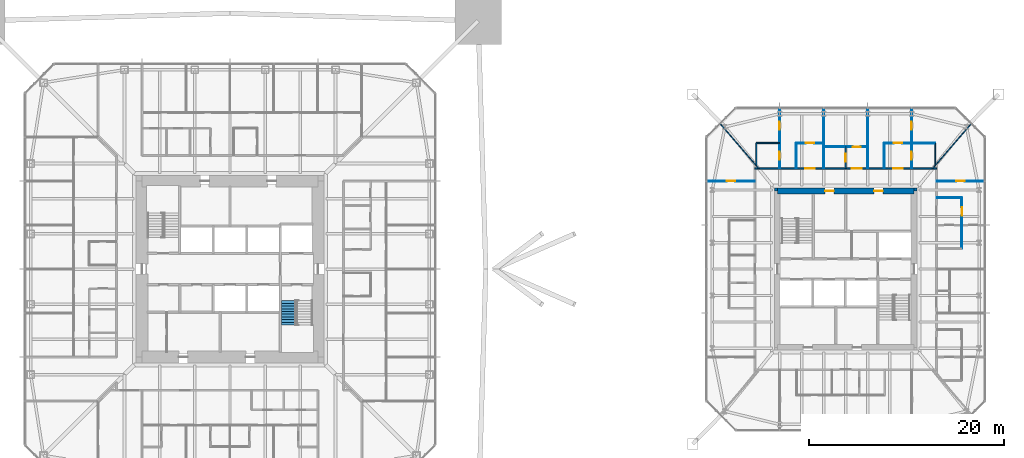
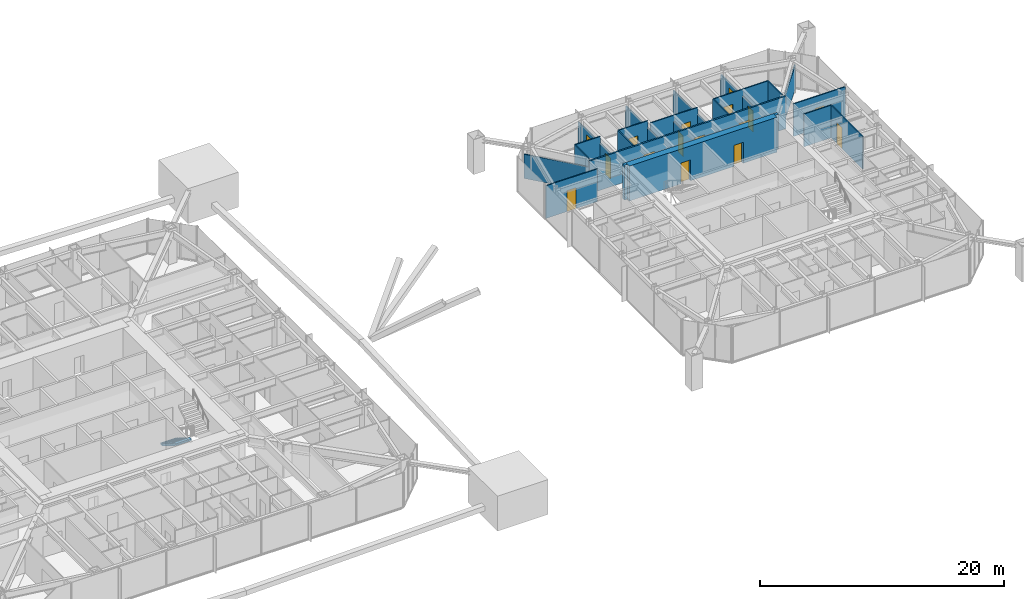
# One storey, part 21 of 27: 23 walls, 16 doors, 1 stair flight, 16 openings, 1 element without a shape of its own.
"""IFC4 building model written with IfcOpenShell, lengths in metres."""

from ifc_helpers import new_model, si_unit, direction, frame, frame_2d, origin, place, context, subcontext, project, spatial, polyline, rectangle, outline, extrude, material, layer, layer_set, constituent, constituent_set, type_object, element, fill, aggregate, save


model = new_model("IFC4")

# Units and contexts
model_context = context("Model", 3, precision=1e-05, world=origin(), true_north=direction((0.0, 1.0)))
body_context = subcontext(model_context, "Body", "Model", "MODEL_VIEW")
ifc_project = project(units=[si_unit("LENGTHUNIT", "METRE"), si_unit("AREAUNIT", "SQUARE_METRE"), si_unit("VOLUMEUNIT", "CUBIC_METRE"), si_unit("PLANEANGLEUNIT", "RADIAN"), si_unit("MASSUNIT", "GRAM", prefix="KILO")], contexts=[model_context])

# Site, building, storey
site_placement = place(None, origin())
site = spatial("IfcSite", under=ifc_project, at=site_placement, CompositionType="ELEMENT")
building_placement = place(site_placement, origin())
building = spatial("IfcBuilding", under=site, at=building_placement, Name="Iwan Alto Co-Living Towers", CompositionType="ELEMENT")
storey_placement = place(building_placement, frame((0.0, 0.0, 91.0)))
storey = spatial("IfcBuildingStorey", under=building, at=storey_placement, Name="L24", CompositionType="ELEMENT", Elevation=91.0)

# Wall, openings, doors
ifc_material_1 = material(Name="Gypsum board")
ifc_layer_1 = layer(ifc_material_1, 0.02490234375, Name="Board", Category="Finish")
ifc_material_2 = material(Name="Steel ASTM A1003 ST33H cold-formed studs", Category="steel")
ifc_layer_2 = layer(ifc_material_2, 0.10009765625, Name="Studs", Category="Framing")
ifc_layer_3 = layer(ifc_material_1, 0.02490234375, Name="Board", Category="Finish")
ifc_layer_set_1 = layer_set([ifc_layer_1, ifc_layer_2, ifc_layer_3], Name="CORRIDOR WALL 150")
wall_type_1 = type_object("IfcWallType", Name="CORRIDOR WALL 150", PredefinedType="PARTITIONING", material=ifc_layer_set_1)
wall_1_placement = place(storey_placement, frame((53.699951171875, 10.300048828125, 0.0), z_axis=(0.0, 0.0, 1.0), x_axis=(1.0, 0.0, 0.0)))
wall_1 = element("IfcWall", 1, at=wall_1_placement, inside=storey, type_object=wall_type_1, Name="Partition L24", PredefinedType="PARTITIONING", context=body_context, shape_type="SweptSolid", body=[
    extrude(rectangle(XDim=18.60009765625, YDim=0.14990234375, at=frame_2d((9.300048828125, 0.0))), origin(), (0.0, 0.0, 1.0), 3.27001953125),
])
opening_1_placement = place(wall_1_placement, frame((14.14990234375, 0.0, 0.0)))
opening_1 = element("IfcOpeningElement", 2, at=opening_1_placement, cuts=wall_1, Name="Opening D3", PredefinedType="OPENING", context=body_context, shape_type="SweptSolid", body=[
    extrude(rectangle(XDim=1.0, YDim=2.10009765625, at=frame_2d((0.5, 1.050048828125))), frame((0.0, 0.0849609375, 0.0), z_axis=(0.0, -1.0, 0.0), x_axis=(1.0, 0.0, 0.0)), (0.0, 0.0, 1.0), 0.169921875),
])
opening_2_placement = place(wall_1_placement, frame((9.925048828125, 0.0, 0.0)))
opening_2 = element("IfcOpeningElement", 3, at=opening_2_placement, cuts=wall_1, Name="Opening D3", PredefinedType="OPENING", context=body_context, shape_type="SweptSolid", body=[
    extrude(rectangle(XDim=1.0, YDim=2.10009765625, at=frame_2d((0.5, 1.050048828125))), frame((0.0, 0.0849609375, 0.0), z_axis=(0.0, -1.0, 0.0), x_axis=(1.0, 0.0, 0.0)), (0.0, 0.0, 1.0), 0.169921875),
])
opening_3_placement = place(wall_1_placement, frame((5.14990234375, 0.0, 0.0)))
opening_3 = element("IfcOpeningElement", 4, at=opening_3_placement, cuts=wall_1, Name="Opening D3", PredefinedType="OPENING", context=body_context, shape_type="SweptSolid", body=[
    extrude(rectangle(XDim=1.0, YDim=2.10009765625, at=frame_2d((0.5, 1.050048828125))), frame((0.0, 0.0849609375, 0.0), z_axis=(0.0, -1.0, 0.0), x_axis=(1.0, 0.0, 0.0)), (0.0, 0.0, 1.0), 0.169921875),
])
ifc_material_3 = material(Name="Steel frame with timber leaf", Category="steel")
door_type_1 = type_object("IfcDoorType", Name="FLAT ENTRANCE DOOR FD30S 1000X2100", OperationType="SINGLE_SWING_LEFT", PredefinedType="DOOR", material=ifc_material_3)
door_1_placement = place(opening_1_placement, origin())
door_1 = element("IfcDoor", 5, at=door_1_placement, inside=storey, type_object=door_type_1, Name="Apartment foyer door L24", OperationType="SINGLE_SWING_LEFT", OverallHeight=2.10009765625, OverallWidth=1.0, PredefinedType="DOOR", context=body_context, shape_type="SweptSolid", body=[
    extrude(rectangle(XDim=1.0, YDim=2.10009765625, at=frame_2d((0.5, 1.050048828125))), frame((0.0, 0.02490234375, 0.0), z_axis=(0.0, -1.0, 0.0), x_axis=(1.0, 0.0, 0.0)), (0.0, 0.0, 1.0), 0.050048828125),
])
fill(opening_1, door_1)
door_2_placement = place(opening_2_placement, origin())
door_2 = element("IfcDoor", 6, at=door_2_placement, inside=storey, type_object=door_type_1, Name="Studio foyer door L24", OperationType="SINGLE_SWING_LEFT", OverallHeight=2.10009765625, OverallWidth=1.0, PredefinedType="DOOR", context=body_context, shape_type="SweptSolid", body=[
    extrude(rectangle(XDim=1.0, YDim=2.10009765625, at=frame_2d((0.5, 1.050048828125))), frame((0.0, 0.02490234375, 0.0), z_axis=(0.0, -1.0, 0.0), x_axis=(1.0, 0.0, 0.0)), (0.0, 0.0, 1.0), 0.050048828125),
])
fill(opening_2, door_2)
door_3_placement = place(opening_3_placement, origin())
door_3 = element("IfcDoor", 7, at=door_3_placement, inside=storey, type_object=door_type_1, Name="Apartment foyer door L24", OperationType="SINGLE_SWING_LEFT", OverallHeight=2.10009765625, OverallWidth=1.0, PredefinedType="DOOR", context=body_context, shape_type="SweptSolid", body=[
    extrude(rectangle(XDim=1.0, YDim=2.10009765625, at=frame_2d((0.5, 1.050048828125))), frame((0.0, 0.02490234375, 0.0), z_axis=(0.0, -1.0, 0.0), x_axis=(1.0, 0.0, 0.0)), (0.0, 0.0, 1.0), 0.050048828125),
])
fill(opening_3, door_3)

# Wall
ifc_layer_4 = layer(ifc_material_1, 0.012451171875, Name="Board", Category="Finish")
ifc_layer_5 = layer(ifc_material_2, 0.074951171875, Name="Studs", Category="Framing")
ifc_layer_6 = layer(ifc_material_1, 0.012451171875, Name="Board", Category="Finish")
ifc_layer_set_2 = layer_set([ifc_layer_4, ifc_layer_5, ifc_layer_6], Name="PARTITION 100")
wall_type_2 = type_object("IfcWallType", Name="PARTITION 100", PredefinedType="PARTITIONING", material=ifc_layer_set_2)
wall_2_placement = place(storey_placement, frame((72.300048828125, 7.300048828125, 0.0), z_axis=(0.0, 0.0, 1.0), x_axis=(1.0, 0.0, 0.0)))
element("IfcWall", 8, at=wall_2_placement, inside=storey, type_object=wall_type_2, Name="Partition L24", PredefinedType="PARTITIONING", context=body_context, shape_type="SweptSolid", body=[
    extrude(rectangle(XDim=2.599853515625, YDim=0.10009765625, at=frame_2d((1.2998046875, 0.0))), origin(), (0.0, 0.0, 1.0), 3.27001953125),
])

# Wall, opening, door
wall_3_placement = place(storey_placement, frame((48.81005859375, 9.0, 0.0), z_axis=(0.0, 0.0, 1.0), x_axis=(1.0, 0.0, 0.0)))
wall_3 = element("IfcWall", 9, at=wall_3_placement, inside=storey, type_object=wall_type_2, Name="Partition L24", PredefinedType="PARTITIONING", context=body_context, shape_type="SweptSolid", body=[
    extrude(rectangle(XDim=4.889892578125, YDim=0.10009765625, at=frame_2d((2.44482421875, 0.0))), origin(), (0.0, 0.0, 1.0), 3.27001953125),
])
opening_4_placement = place(wall_3_placement, frame((2.02001953125, 0.0, 0.0)))
opening_4 = element("IfcOpeningElement", 10, at=opening_4_placement, cuts=wall_3, Name="Opening D2", PredefinedType="OPENING", context=body_context, shape_type="SweptSolid", body=[
    extrude(rectangle(XDim=0.85009765625, YDim=2.10009765625, at=frame_2d((0.425048828125, 1.050048828125))), frame((0.0, 0.06005859375, 0.0), z_axis=(0.0, -1.0, 0.0), x_axis=(1.0, 0.0, 0.0)), (0.0, 0.0, 1.0), 0.1201171875),
])
ifc_material_4 = material(Name="Timber leaf in steel frame", Category="steel")
door_type_2 = type_object("IfcDoorType", Name="ROOM DOOR 850X2100", OperationType="SINGLE_SWING_LEFT", PredefinedType="DOOR", material=ifc_material_4)
door_4_placement = place(opening_4_placement, frame((0.85009765625, 0.0, 0.0), z_axis=(0.0, 0.0, 1.0), x_axis=(-1.0, 0.0, 0.0)))
door_4 = element("IfcDoor", 11, at=door_4_placement, inside=storey, type_object=door_type_2, Name="Bedroom door L24", OperationType="SINGLE_SWING_LEFT", OverallHeight=2.10009765625, OverallWidth=0.85009765625, PredefinedType="DOOR", context=body_context, shape_type="SweptSolid", body=[
    extrude(rectangle(XDim=0.85009765625, YDim=2.10009765625, at=frame_2d((0.425048828125, 1.050048828125))), frame((0.0, 0.02490234375, 0.0), z_axis=(0.0, -1.0, 0.0), x_axis=(1.0, 0.0, 0.0)), (0.0, 0.0, 1.0), 0.050048828125),
])
fill(opening_4, door_4)

wall_4_placement = place(storey_placement, frame((72.300048828125, 9.0, 0.0), z_axis=(0.0, 0.0, 1.0), x_axis=(1.0, 0.0, 0.0)))
wall_4 = element("IfcWall", 12, at=wall_4_placement, inside=storey, type_object=wall_type_2, Name="Partition L24", PredefinedType="PARTITIONING", context=body_context, shape_type="SweptSolid", body=[
    extrude(rectangle(XDim=4.889892578125, YDim=0.10009765625, at=frame_2d((2.44482421875, 0.0))), origin(), (0.0, 0.0, 1.0), 3.27001953125),
])
opening_5_placement = place(wall_4_placement, frame((2.02001953125, 0.0, 0.0)))
opening_5 = element("IfcOpeningElement", 13, at=opening_5_placement, cuts=wall_4, Name="Opening D2", PredefinedType="OPENING", context=body_context, shape_type="SweptSolid", body=[
    extrude(rectangle(XDim=0.85009765625, YDim=2.10009765625, at=frame_2d((0.425048828125, 1.050048828125))), frame((0.0, 0.06005859375, 0.0), z_axis=(0.0, -1.0, 0.0), x_axis=(1.0, 0.0, 0.0)), (0.0, 0.0, 1.0), 0.1201171875),
])
door_5_placement = place(opening_5_placement, origin())
door_5 = element("IfcDoor", 14, at=door_5_placement, inside=storey, type_object=door_type_2, Name="Bedroom door L24", OperationType="SINGLE_SWING_LEFT", OverallHeight=2.10009765625, OverallWidth=0.85009765625, PredefinedType="DOOR", context=body_context, shape_type="SweptSolid", body=[
    extrude(rectangle(XDim=0.85009765625, YDim=2.10009765625, at=frame_2d((0.425048828125, 1.050048828125))), frame((0.0, 0.02490234375, 0.0), z_axis=(0.0, -1.0, 0.0), x_axis=(1.0, 0.0, 0.0)), (0.0, 0.0, 1.0), 0.050048828125),
])
fill(opening_5, door_5)

wall_5_placement = place(storey_placement, frame((60.75, 12.5, 0.0), z_axis=(0.0, 0.0, 1.0), x_axis=(1.0, 0.0, 0.0)))
wall_5 = element("IfcWall", 15, at=wall_5_placement, inside=storey, type_object=wall_type_2, Name="Partition L24", PredefinedType="PARTITIONING", context=body_context, shape_type="SweptSolid", body=[
    extrude(rectangle(XDim=4.5, YDim=0.10009765625, at=frame_2d((2.25, 0.0))), origin(), (0.0, 0.0, 1.0), 3.27001953125),
])
opening_6_placement = place(wall_5_placement, frame((2.949951171875, 0.0, 0.0)))
opening_6 = element("IfcOpeningElement", 16, at=opening_6_placement, cuts=wall_5, Name="Opening D2", PredefinedType="OPENING", context=body_context, shape_type="SweptSolid", body=[
    extrude(rectangle(XDim=0.85009765625, YDim=2.10009765625, at=frame_2d((0.425048828125, 1.050048828125))), frame((0.0, 0.06005859375, 0.0), z_axis=(0.0, -1.0, 0.0), x_axis=(1.0, 0.0, 0.0)), (0.0, 0.0, 1.0), 0.1201171875),
])
door_6_placement = place(opening_6_placement, origin())
door_6 = element("IfcDoor", 17, at=door_6_placement, inside=storey, type_object=door_type_2, Name="Studio and kitchenette door L24", OperationType="SINGLE_SWING_RIGHT", OverallHeight=2.10009765625, OverallWidth=0.85009765625, PredefinedType="DOOR", context=body_context, shape_type="SweptSolid", body=[
    extrude(rectangle(XDim=0.85009765625, YDim=2.10009765625, at=frame_2d((0.425048828125, 1.050048828125))), frame((0.0, 0.02490234375, 0.0), z_axis=(0.0, -1.0, 0.0), x_axis=(1.0, 0.0, 0.0)), (0.0, 0.0, 1.0), 0.050048828125),
])
fill(opening_6, door_6)

wall_6_placement = place(storey_placement, frame((57.949951171875, 12.89990234375, 0.0), z_axis=(0.0, 0.0, 1.0), x_axis=(1.0, 0.0, 0.0)))
wall_6 = element("IfcWall", 18, at=wall_6_placement, inside=storey, type_object=wall_type_2, Name="Partition L24", PredefinedType="PARTITIONING", context=body_context, shape_type="SweptSolid", body=[
    extrude(rectangle(XDim=2.800048828125, YDim=0.10009765625, at=frame_2d((1.39990234375, 0.0))), origin(), (0.0, 0.0, 1.0), 3.27001953125),
])
opening_7_placement = place(wall_6_placement, frame((0.97509765625, 0.0, 0.0)))
opening_7 = element("IfcOpeningElement", 19, at=opening_7_placement, cuts=wall_6, Name="Opening D2", PredefinedType="OPENING", context=body_context, shape_type="SweptSolid", body=[
    extrude(rectangle(XDim=0.85009765625, YDim=2.10009765625, at=frame_2d((0.425048828125, 1.050048828125))), frame((0.0, 0.06005859375, 0.0), z_axis=(0.0, -1.0, 0.0), x_axis=(1.0, 0.0, 0.0)), (0.0, 0.0, 1.0), 0.1201171875),
])
door_7_placement = place(opening_7_placement, origin())
door_7 = element("IfcDoor", 20, at=door_7_placement, inside=storey, type_object=door_type_2, Name="Apartment foyer door L24", OperationType="SINGLE_SWING_RIGHT", OverallHeight=2.10009765625, OverallWidth=0.85009765625, PredefinedType="DOOR", context=body_context, shape_type="SweptSolid", body=[
    extrude(rectangle(XDim=0.85009765625, YDim=2.10009765625, at=frame_2d((0.425048828125, 1.050048828125))), frame((0.0, 0.02490234375, 0.0), z_axis=(0.0, -1.0, 0.0), x_axis=(1.0, 0.0, 0.0)), (0.0, 0.0, 1.0), 0.050048828125),
])
fill(opening_7, door_7)

wall_7_placement = place(storey_placement, frame((66.949951171875, 12.89990234375, 0.0), z_axis=(0.0, 0.0, 1.0), x_axis=(1.0, 0.0, 0.0)))
wall_7 = element("IfcWall", 21, at=wall_7_placement, inside=storey, type_object=wall_type_2, Name="Partition L24", PredefinedType="PARTITIONING", context=body_context, shape_type="SweptSolid", body=[
    extrude(rectangle(XDim=5.199951171875, YDim=0.10009765625, at=frame_2d((2.60009765625, 0.0))), origin(), (0.0, 0.0, 1.0), 3.27001953125),
])
opening_8_placement = place(wall_7_placement, frame((0.97509765625, 0.0, 0.0)))
opening_8 = element("IfcOpeningElement", 22, at=opening_8_placement, cuts=wall_7, Name="Opening D2", PredefinedType="OPENING", context=body_context, shape_type="SweptSolid", body=[
    extrude(rectangle(XDim=0.85009765625, YDim=2.10009765625, at=frame_2d((0.425048828125, 1.050048828125))), frame((0.0, 0.06005859375, 0.0), z_axis=(0.0, -1.0, 0.0), x_axis=(1.0, 0.0, 0.0)), (0.0, 0.0, 1.0), 0.1201171875),
])
door_8_placement = place(opening_8_placement, origin())
door_8 = element("IfcDoor", 23, at=door_8_placement, inside=storey, type_object=door_type_2, Name="Apartment foyer door L24", OperationType="SINGLE_SWING_RIGHT", OverallHeight=2.10009765625, OverallWidth=0.85009765625, PredefinedType="DOOR", context=body_context, shape_type="SweptSolid", body=[
    extrude(rectangle(XDim=0.85009765625, YDim=2.10009765625, at=frame_2d((0.425048828125, 1.050048828125))), frame((0.0, 0.02490234375, 0.0), z_axis=(0.0, -1.0, 0.0), x_axis=(1.0, 0.0, 0.0)), (0.0, 0.0, 1.0), 0.050048828125),
])
fill(opening_8, door_8)

# Wall
wall_8_placement = place(storey_placement, frame((71.89501953125, 10.300048828125, 0.0), z_axis=(0.0, 0.0, 1.0), x_axis=(0.65378286253, 0.756682211144, 0.0)))
element("IfcWall", 24, at=wall_8_placement, inside=storey, type_object=wall_type_2, Name="Partition L24", PredefinedType="PARTITIONING", context=body_context, shape_type="SweptSolid", body=[
    extrude(rectangle(XDim=6.005126953125, YDim=0.10009765625, at=frame_2d((3.00244140625, 0.0))), origin(), (0.0, 0.0, 1.0), 2.42919921875),
])

# Wall, opening, door
wall_9_placement = place(storey_placement, frame((74.89990234375, 2.10009765625, 0.0), z_axis=(0.0, 0.0, 1.0), x_axis=(0.0, 1.0, 0.0)))
wall_9 = element("IfcWall", 25, at=wall_9_placement, inside=storey, type_object=wall_type_2, Name="Partition L24", PredefinedType="PARTITIONING", context=body_context, shape_type="SweptSolid", body=[
    extrude(rectangle(XDim=5.199951171875, YDim=0.10009765625, at=frame_2d((2.60009765625, 0.0))), origin(), (0.0, 0.0, 1.0), 3.27001953125),
])
opening_9_placement = place(wall_9_placement, frame((3.375, 0.0, 0.0)))
opening_9 = element("IfcOpeningElement", 26, at=opening_9_placement, cuts=wall_9, Name="Opening D2", PredefinedType="OPENING", context=body_context, shape_type="SweptSolid", body=[
    extrude(rectangle(XDim=0.85009765625, YDim=2.10009765625, at=frame_2d((0.425048828125, 1.050048828125))), frame((0.0, 0.06005859375, 0.0), z_axis=(0.0, -1.0, 0.0), x_axis=(1.0, 0.0, 0.0)), (0.0, 0.0, 1.0), 0.1201171875),
])
door_9_placement = place(opening_9_placement, frame((0.85009765625, 0.0, 0.0), z_axis=(0.0, 0.0, 1.0), x_axis=(-1.0, 0.0, 0.0)))
door_9 = element("IfcDoor", 27, at=door_9_placement, inside=storey, type_object=door_type_2, Name="Apartment foyer door L24", OperationType="SINGLE_SWING_RIGHT", OverallHeight=2.10009765625, OverallWidth=0.85009765625, PredefinedType="DOOR", context=body_context, shape_type="SweptSolid", body=[
    extrude(rectangle(XDim=0.85009765625, YDim=2.10009765625, at=frame_2d((0.425048828125, 1.050048828125))), frame((0.0, 0.02490234375, 0.0), z_axis=(0.0, -1.0, 0.0), x_axis=(1.0, 0.0, 0.0)), (0.0, 0.0, 1.0), 0.050048828125),
])
fill(opening_9, door_9)

# Wall, openings, doors
wall_10_placement = place(storey_placement, frame((69.75, 10.300048828125, 0.0), z_axis=(0.0, 0.0, 1.0), x_axis=(0.0, 1.0, 0.0)))
wall_10 = element("IfcWall", 28, at=wall_10_placement, inside=storey, type_object=wall_type_2, Name="Partition L24", PredefinedType="PARTITIONING", context=body_context, shape_type="SweptSolid", body=[
    extrude(rectangle(XDim=6.139892578125, YDim=0.10009765625, at=frame_2d((3.06982421875, 0.0))), origin(), (0.0, 0.0, 1.0), 2.586669921875),
])
opening_10_placement = place(wall_10_placement, frame((0.875, 0.0, 0.0)))
opening_10 = element("IfcOpeningElement", 29, at=opening_10_placement, cuts=wall_10, Name="Opening D2", PredefinedType="OPENING", context=body_context, shape_type="SweptSolid", body=[
    extrude(rectangle(XDim=0.85009765625, YDim=2.10009765625, at=frame_2d((0.425048828125, 1.050048828125))), frame((0.0, 0.06005859375, 0.0), z_axis=(0.0, -1.0, 0.0), x_axis=(1.0, 0.0, 0.0)), (0.0, 0.0, 1.0), 0.1201171875),
])
opening_11_placement = place(wall_10_placement, frame((3.945068359375, 0.0, 0.0)))
opening_11 = element("IfcOpeningElement", 30, at=opening_11_placement, cuts=wall_10, Name="Opening D2", PredefinedType="OPENING", context=body_context, shape_type="SweptSolid", body=[
    extrude(rectangle(XDim=0.85009765625, YDim=2.10009765625, at=frame_2d((0.425048828125, 1.050048828125))), frame((0.0, 0.06005859375, 0.0), z_axis=(0.0, -1.0, 0.0), x_axis=(1.0, 0.0, 0.0)), (0.0, 0.0, 1.0), 0.1201171875),
])
door_10_placement = place(opening_10_placement, frame((0.85009765625, 0.0, 0.0), z_axis=(0.0, 0.0, 1.0), x_axis=(-1.0, 0.0, 0.0)))
door_10 = element("IfcDoor", 31, at=door_10_placement, inside=storey, type_object=door_type_2, Name="Bathroom door L24", OperationType="SINGLE_SWING_RIGHT", OverallHeight=2.10009765625, OverallWidth=0.85009765625, PredefinedType="DOOR", context=body_context, shape_type="SweptSolid", body=[
    extrude(rectangle(XDim=0.85009765625, YDim=2.10009765625, at=frame_2d((0.425048828125, 1.050048828125))), frame((0.0, 0.02490234375, 0.0), z_axis=(0.0, -1.0, 0.0), x_axis=(1.0, 0.0, 0.0)), (0.0, 0.0, 1.0), 0.050048828125),
])
fill(opening_10, door_10)
door_11_placement = place(opening_11_placement, frame((0.85009765625, 0.0, 0.0), z_axis=(0.0, 0.0, 1.0), x_axis=(-1.0, 0.0, 0.0)))
door_11 = element("IfcDoor", 32, at=door_11_placement, inside=storey, type_object=door_type_2, Name="Bedroom door L24", OperationType="SINGLE_SWING_RIGHT", OverallHeight=2.10009765625, OverallWidth=0.85009765625, PredefinedType="DOOR", context=body_context, shape_type="SweptSolid", body=[
    extrude(rectangle(XDim=0.85009765625, YDim=2.10009765625, at=frame_2d((0.425048828125, 1.050048828125))), frame((0.0, 0.02490234375, 0.0), z_axis=(0.0, -1.0, 0.0), x_axis=(1.0, 0.0, 0.0)), (0.0, 0.0, 1.0), 0.050048828125),
])
fill(opening_11, door_11)

# Walls
wall_11_placement = place(storey_placement, frame((66.949951171875, 10.300048828125, 0.0), z_axis=(0.0, 0.0, 1.0), x_axis=(0.0, 1.0, 0.0)))
element("IfcWall", 33, at=wall_11_placement, inside=storey, type_object=wall_type_2, Name="Partition L24", PredefinedType="PARTITIONING", context=body_context, shape_type="SweptSolid", body=[
    extrude(rectangle(XDim=2.599853515625, YDim=0.10009765625, at=frame_2d((1.2998046875, 0.0))), origin(), (0.0, 0.0, 1.0), 3.27001953125),
])
for number, where, z_axis, x_axis, name in (
    (34, (65.25, 10.300048828125, 0.0), (0.0, 0.0, 1.0), (0.0, 1.0, 0.0), "Partition L24"),
    (35, (60.75, 10.300048828125, 0.0), (0.0, 0.0, 1.0), (0.0, 1.0, 0.0), "Partition L24"),
):
    element("IfcWall", number, at=place(storey_placement, frame(where, z_axis=z_axis, x_axis=x_axis)), inside=storey, type_object=wall_type_2, Name=name, PredefinedType="PARTITIONING", context=body_context, shape_type="SweptSolid", body=[
        extrude(rectangle(XDim=6.139892578125, YDim=0.10009765625, at=frame_2d((3.06982421875, 0.0))), origin(), (0.0, 0.0, 1.0), 2.586669921875),
    ])
wall_12_placement = place(storey_placement, frame((57.949951171875, 10.300048828125, 0.0), z_axis=(0.0, 0.0, 1.0), x_axis=(0.0, 1.0, 0.0)))
element("IfcWall", 36, at=wall_12_placement, inside=storey, type_object=wall_type_2, Name="Partition L24", PredefinedType="PARTITIONING", context=body_context, shape_type="SweptSolid", body=[
    extrude(rectangle(XDim=2.599853515625, YDim=0.10009765625, at=frame_2d((1.2998046875, 0.0))), origin(), (0.0, 0.0, 1.0), 3.27001953125),
])

# Wall, openings, doors
wall_13_placement = place(storey_placement, frame((56.25, 10.300048828125, 0.0), z_axis=(0.0, 0.0, 1.0), x_axis=(0.0, 1.0, 0.0)))
wall_13 = element("IfcWall", 37, at=wall_13_placement, inside=storey, type_object=wall_type_2, Name="Partition L24", PredefinedType="PARTITIONING", context=body_context, shape_type="SweptSolid", body=[
    extrude(rectangle(XDim=6.139892578125, YDim=0.10009765625, at=frame_2d((3.06982421875, 0.0))), origin(), (0.0, 0.0, 1.0), 2.586669921875),
])
opening_12_placement = place(wall_13_placement, frame((0.875, 0.0, 0.0)))
opening_12 = element("IfcOpeningElement", 38, at=opening_12_placement, cuts=wall_13, Name="Opening D2", PredefinedType="OPENING", context=body_context, shape_type="SweptSolid", body=[
    extrude(rectangle(XDim=0.85009765625, YDim=2.10009765625, at=frame_2d((0.425048828125, 1.050048828125))), frame((0.0, 0.06005859375, 0.0), z_axis=(0.0, -1.0, 0.0), x_axis=(1.0, 0.0, 0.0)), (0.0, 0.0, 1.0), 0.1201171875),
])
opening_13_placement = place(wall_13_placement, frame((3.945068359375, 0.0, 0.0)))
opening_13 = element("IfcOpeningElement", 39, at=opening_13_placement, cuts=wall_13, Name="Opening D2", PredefinedType="OPENING", context=body_context, shape_type="SweptSolid", body=[
    extrude(rectangle(XDim=0.85009765625, YDim=2.10009765625, at=frame_2d((0.425048828125, 1.050048828125))), frame((0.0, 0.06005859375, 0.0), z_axis=(0.0, -1.0, 0.0), x_axis=(1.0, 0.0, 0.0)), (0.0, 0.0, 1.0), 0.1201171875),
])
door_12_placement = place(opening_12_placement, frame((0.85009765625, 0.0, 0.0), z_axis=(0.0, 0.0, 1.0), x_axis=(-1.0, 0.0, 0.0)))
door_12 = element("IfcDoor", 40, at=door_12_placement, inside=storey, type_object=door_type_2, Name="Bathroom door L24", OperationType="SINGLE_SWING_RIGHT", OverallHeight=2.10009765625, OverallWidth=0.85009765625, PredefinedType="DOOR", context=body_context, shape_type="SweptSolid", body=[
    extrude(rectangle(XDim=0.85009765625, YDim=2.10009765625, at=frame_2d((0.425048828125, 1.050048828125))), frame((0.0, 0.02490234375, 0.0), z_axis=(0.0, -1.0, 0.0), x_axis=(1.0, 0.0, 0.0)), (0.0, 0.0, 1.0), 0.050048828125),
])
fill(opening_12, door_12)
door_13_placement = place(opening_13_placement, origin())
door_13 = element("IfcDoor", 41, at=door_13_placement, inside=storey, type_object=door_type_2, Name="Bedroom door L24", OperationType="SINGLE_SWING_LEFT", OverallHeight=2.10009765625, OverallWidth=0.85009765625, PredefinedType="DOOR", context=body_context, shape_type="SweptSolid", body=[
    extrude(rectangle(XDim=0.85009765625, YDim=2.10009765625, at=frame_2d((0.425048828125, 1.050048828125))), frame((0.0, 0.02490234375, 0.0), z_axis=(0.0, -1.0, 0.0), x_axis=(1.0, 0.0, 0.0)), (0.0, 0.0, 1.0), 0.050048828125),
])
fill(opening_13, door_13)

# Walls
wall_14_placement = place(storey_placement, frame((54.10498046875, 10.300048828125, 0.0), z_axis=(0.0, 0.0, 1.0), x_axis=(-0.653606109319, 0.756834892074, 0.0)))
element("IfcWall", 42, at=wall_14_placement, inside=storey, type_object=wall_type_2, Name="Partition L24", PredefinedType="PARTITIONING", context=body_context, shape_type="SweptSolid", body=[
    extrude(rectangle(XDim=6.0048828125, YDim=0.10009765625, at=frame_2d((3.00244140625, 0.0))), origin(), (0.0, 0.0, 1.0), 2.42919921875),
])
ifc_material_5 = material(Name="Concrete f'c 70 MPa", Category="concrete")
ifc_layer_7 = layer(ifc_material_5, 0.300048828125)
ifc_layer_set_3 = layer_set([ifc_layer_7], Name="T2 CORE CORNER FILL 300")
wall_type_3 = type_object("IfcWallType", Name="T2 CORE CORNER FILL 300", PredefinedType="SOLIDWALL", material=ifc_layer_set_3)
for number, where, z_axis, x_axis, name in (
    (43, (70.0, 8.14990234375, 0.0), (0.0, 0.0, 1.0), (1.0, 0.0, 0.0), "T2 core corner NE L24"),
    (44, (55.699951171875, 8.14990234375, 0.0), (0.0, 0.0, 1.0), (1.0, 0.0, 0.0), "T2 core corner NW L24"),
):
    element("IfcWall", number, at=place(storey_placement, frame(where, z_axis=z_axis, x_axis=x_axis)), inside=storey, type_object=wall_type_3, Name=name, PredefinedType="SOLIDWALL", context=body_context, shape_type="SweptSolid", body=[
        extrude(rectangle(XDim=0.300048828125, YDim=0.300048828125, at=frame_2d((0.14990234375, 0.0))), origin(), (0.0, 0.0, 1.0), 3.5),
    ])

# Wall, openings, doors
ifc_material_6 = material(Name="Concrete f'c 70 MPa", Category="concrete")
ifc_layer_8 = layer(ifc_material_6, 0.60009765625)
ifc_layer_set_4 = layer_set([ifc_layer_8], Name="T2 CORE WALL 600")
wall_type_4 = type_object("IfcWallType", Name="T2 CORE WALL 600", PredefinedType="SHEAR", material=ifc_layer_set_4)
wall_15_placement = place(storey_placement, frame((70.0, 8.0, 0.0), z_axis=(0.0, 0.0, 1.0), x_axis=(-1.0, 0.0, 0.0)))
wall_15 = element("IfcWall", 45, at=wall_15_placement, inside=storey, type_object=wall_type_4, Name="T2 core wall N L24", PredefinedType="SHEAR", context=body_context, shape_type="SweptSolid", body=[
    extrude(rectangle(XDim=14.0, YDim=0.60009765625, at=frame_2d((7.0, 0.0))), origin(), (0.0, 0.0, 1.0), 3.5),
])
opening_14_placement = place(wall_15_placement, frame((8.199951171875, 0.0, 0.0)))
opening_14 = element("IfcOpeningElement", 46, at=opening_14_placement, cuts=wall_15, Name="Opening D8", PredefinedType="OPENING", context=body_context, shape_type="SweptSolid", body=[
    extrude(rectangle(XDim=0.89990234375, YDim=2.10009765625, at=frame_2d((0.449951171875, 1.050048828125))), frame((0.0, 0.31005859375, 0.0), z_axis=(0.0, -1.0, 0.0), x_axis=(1.0, 0.0, 0.0)), (0.0, 0.0, 1.0), 0.6201171875),
])
opening_15_placement = place(wall_15_placement, frame((3.199951171875, 0.0, 0.0)))
opening_15 = element("IfcOpeningElement", 47, at=opening_15_placement, cuts=wall_15, Name="Opening D8", PredefinedType="OPENING", context=body_context, shape_type="SweptSolid", body=[
    extrude(rectangle(XDim=0.89990234375, YDim=2.10009765625, at=frame_2d((0.449951171875, 1.050048828125))), frame((0.0, 0.31005859375, 0.0), z_axis=(0.0, -1.0, 0.0), x_axis=(1.0, 0.0, 0.0)), (0.0, 0.0, 1.0), 0.6201171875),
])
ifc_material_7 = material(Name="Steel frame with timber leaf", Category="steel")
door_type_3 = type_object("IfcDoorType", Name="RISER DOOR FD120 900X2100", OperationType="SINGLE_SWING_LEFT", PredefinedType="DOOR", material=ifc_material_7)
door_14_placement = place(opening_14_placement, origin())
door_14 = element("IfcDoor", 48, at=door_14_placement, inside=storey, type_object=door_type_3, Name="Electrical riser core door L24", OperationType="SINGLE_SWING_RIGHT", OverallHeight=2.10009765625, OverallWidth=0.89990234375, PredefinedType="DOOR", context=body_context, shape_type="SweptSolid", body=[
    extrude(rectangle(XDim=0.89990234375, YDim=2.10009765625, at=frame_2d((0.449951171875, 1.050048828125))), frame((0.0, 0.02490234375, 0.0), z_axis=(0.0, -1.0, 0.0), x_axis=(1.0, 0.0, 0.0)), (0.0, 0.0, 1.0), 0.050048828125),
])
fill(opening_14, door_14)
door_15_placement = place(opening_15_placement, origin())
door_15 = element("IfcDoor", 49, at=door_15_placement, inside=storey, type_object=door_type_3, Name="Water and drainage riser core door L24", OperationType="SINGLE_SWING_RIGHT", OverallHeight=2.10009765625, OverallWidth=0.89990234375, PredefinedType="DOOR", context=body_context, shape_type="SweptSolid", body=[
    extrude(rectangle(XDim=0.89990234375, YDim=2.10009765625, at=frame_2d((0.449951171875, 1.050048828125))), frame((0.0, 0.02490234375, 0.0), z_axis=(0.0, -1.0, 0.0), x_axis=(1.0, 0.0, 0.0)), (0.0, 0.0, 1.0), 0.050048828125),
])
fill(opening_15, door_15)

# Walls
ifc_material_8 = material(Name="Cement board")
ifc_layer_9 = layer(ifc_material_8, 0.012451171875, Name="Board", Category="Finish")
ifc_layer_10 = layer(ifc_material_2, 0.094970703125, Name="Studs", Category="Framing")
ifc_layer_11 = layer(ifc_material_8, 0.012451171875, Name="Board", Category="Finish")
ifc_layer_set_5 = layer_set([ifc_layer_9, ifc_layer_10, ifc_layer_11], Name="WET AREA PARTITION 120")
wall_type_5 = type_object("IfcWallType", Name="WET AREA PARTITION 120", PredefinedType="PARTITIONING", material=ifc_layer_set_5)
wall_16_placement = place(storey_placement, frame((53.85009765625, 12.89990234375, 0.0), z_axis=(0.0, 0.0, 1.0), x_axis=(1.0, 0.0, 0.0)))
element("IfcWall", 50, at=wall_16_placement, inside=storey, type_object=wall_type_5, Name="Partition L24", PredefinedType="PARTITIONING", context=body_context, shape_type="SweptSolid", body=[
    extrude(rectangle(XDim=2.39990234375, YDim=0.1201171875, at=frame_2d((1.199951171875, 0.0))), origin(), (0.0, 0.0, 1.0), 3.27001953125),
])
wall_17_placement = place(storey_placement, frame((72.14990234375, 10.594970703125, 0.0), z_axis=(0.0, 0.0, 1.0), x_axis=(0.0, 1.0, 0.0)))
element("IfcWall", 51, at=wall_17_placement, inside=storey, type_object=wall_type_5, Name="Partition L24", PredefinedType="PARTITIONING", context=body_context, shape_type="SweptSolid", body=[
    extrude(rectangle(XDim=2.304931640625, YDim=0.1201171875, at=frame_2d((1.15234375, 0.0))), origin(), (0.0, 0.0, 1.0), 3.27001953125),
])

# Wall, opening, door
wall_18_placement = place(storey_placement, frame((63.0, 10.300048828125, 0.0), z_axis=(0.0, 0.0, 1.0), x_axis=(0.0, 1.0, 0.0)))
wall_18 = element("IfcWall", 52, at=wall_18_placement, inside=storey, type_object=wall_type_5, Name="Partition L24", PredefinedType="PARTITIONING", context=body_context, shape_type="SweptSolid", body=[
    extrude(rectangle(XDim=2.199951171875, YDim=0.1201171875, at=frame_2d((1.10009765625, 0.0))), origin(), (0.0, 0.0, 1.0), 2.662841796875),
])
opening_16_placement = place(wall_18_placement, frame((0.675048828125, 0.0, 0.0)))
opening_16 = element("IfcOpeningElement", 53, at=opening_16_placement, cuts=wall_18, Name="Opening D2", PredefinedType="OPENING", context=body_context, shape_type="SweptSolid", body=[
    extrude(rectangle(XDim=0.85009765625, YDim=2.10009765625, at=frame_2d((0.425048828125, 1.050048828125))), frame((0.0, 0.070068359375, 0.0), z_axis=(0.0, -1.0, 0.0), x_axis=(1.0, 0.0, 0.0)), (0.0, 0.0, 1.0), 0.14013671875),
])
door_16_placement = place(opening_16_placement, origin())
door_16 = element("IfcDoor", 54, at=door_16_placement, inside=storey, type_object=door_type_2, Name="Shower room door L24", OperationType="SINGLE_SWING_LEFT", OverallHeight=2.10009765625, OverallWidth=0.85009765625, PredefinedType="DOOR", context=body_context, shape_type="SweptSolid", body=[
    extrude(rectangle(XDim=0.85009765625, YDim=2.10009765625, at=frame_2d((0.425048828125, 1.050048828125))), frame((0.0, 0.02490234375, 0.0), z_axis=(0.0, -1.0, 0.0), x_axis=(1.0, 0.0, 0.0)), (0.0, 0.0, 1.0), 0.050048828125),
])
fill(opening_16, door_16)

# Wall
wall_19_placement = place(storey_placement, frame((53.85009765625, 10.594970703125, 0.0), z_axis=(0.0, 0.0, 1.0), x_axis=(0.0, 1.0, 0.0)))
element("IfcWall", 55, at=wall_19_placement, inside=storey, type_object=wall_type_5, Name="Partition L24", PredefinedType="PARTITIONING", context=body_context, shape_type="SweptSolid", body=[
    extrude(rectangle(XDim=2.304931640625, YDim=0.1201171875, at=frame_2d((1.15234375, 0.0))), origin(), (0.0, 0.0, 1.0), 3.27001953125),
])

# Stair, stair flight
ifc_material_9 = material(Name="Steel ASTM A36", Category="steel")
ifc_constituent_1 = constituent(ifc_material_9, Name="Stringers", Category="LoadBearing")
ifc_material_10 = material(Name="Concrete f'c 30 MPa", Category="concrete")
ifc_constituent_2 = constituent(ifc_material_10, Name="Tread fill", Category="Finish")
ifc_constituent_set_1 = constituent_set(constituents=[ifc_constituent_1, ifc_constituent_2], Name="STAIR 3500 TWO-FLIGHT T1 CORE")
stair_type = type_object("IfcStairType", Name="STAIR 3500 TWO-FLIGHT T1 CORE", PredefinedType="HALF_TURN_STAIR", material=ifc_constituent_set_1)
stair_placement = place(storey_placement, origin())
stair = element("IfcStair", 56, at=stair_placement, inside=storey, type_object=stair_type, Name="Stair T1-S2 L24 to L25", PredefinedType="HALF_TURN_STAIR")
ifc_constituent_3 = constituent(ifc_material_9, Name="Stringers", Category="LoadBearing")
ifc_constituent_4 = constituent(ifc_material_10, Name="Tread fill", Category="Finish")
ifc_constituent_set_2 = constituent_set(constituents=[ifc_constituent_3, ifc_constituent_4], Name="STAIR FLIGHT 10 RISERS 280 GOING")
stair_flight_type = type_object("IfcStairFlightType", Name="STAIR FLIGHT 10 RISERS 280 GOING", PredefinedType="STRAIGHT", material=ifc_constituent_set_2)
stair_flight_placement = place(storey_placement, frame((6.010009765625, -3.219970703125, 0.0), z_axis=(0.0, 0.0, 1.0), x_axis=(0.0, -1.0, 0.0)))
stair_flight = element("IfcStairFlight", 57, at=stair_flight_placement, type_object=stair_flight_type, Name="T1-S2 flight 1", NumberOfRisers=10, NumberOfTreads=9, PredefinedType="STRAIGHT", RiserHeight=0.175, TreadLength=0.28, context=body_context, shape_type="SweptSolid", body=[
    extrude(outline(polyline([(0.0, 0.0), (0.0, 0.175048828125), (0.280029296875, 0.175048828125), (0.280029296875, 0.35009765625), (0.56005859375, 0.35009765625), (0.56005859375, 0.52490234375), (0.840087890625, 0.52490234375), (0.840087890625, 0.699951171875), (1.1201171875, 0.699951171875), (1.1201171875, 0.875), (1.39990234375, 0.875), (1.39990234375, 1.050048828125), (1.679931640625, 1.050048828125), (1.679931640625, 1.22509765625), (1.9599609375, 1.22509765625), (1.9599609375, 1.39990234375), (2.239990234375, 1.39990234375), (2.239990234375, 1.574951171875), (2.52001953125, 1.574951171875), (2.52001953125, 1.75), (2.52001953125, 1.398193359375), (0.28271484375, 0.0), (0.0, 0.0)])), frame((0.0, 0.739990234375, 0.0), z_axis=(0.0, -1.0, 0.0), x_axis=(1.0, 0.0, 0.0)), (0.0, 0.0, 1.0), 1.47998046875),
])
aggregate(stair, [stair_flight])

save(model, "model.ifc")
